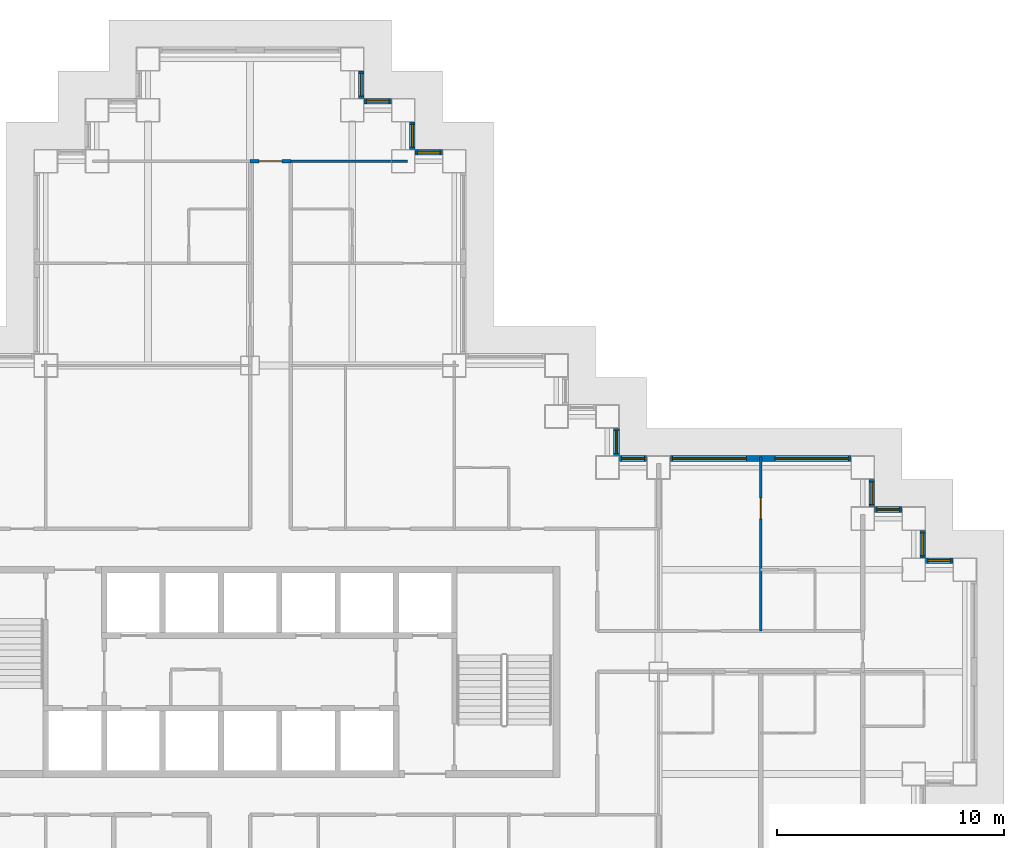
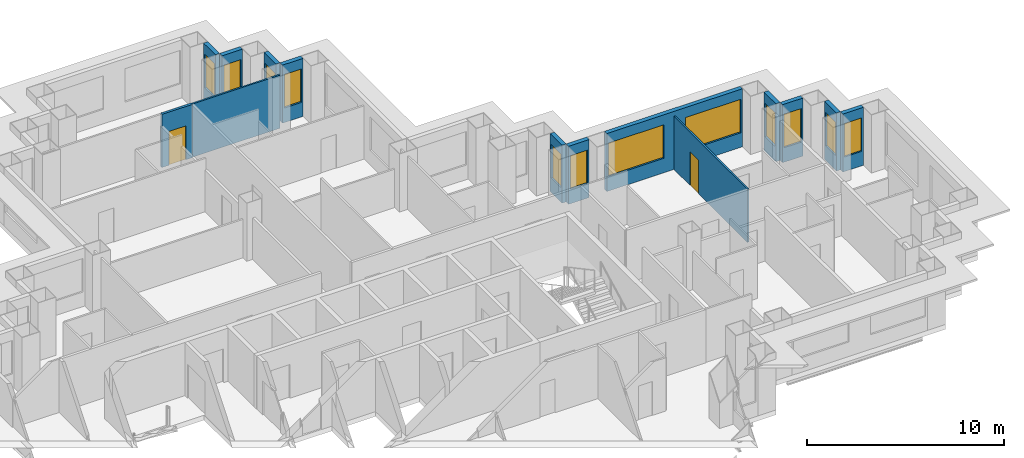
# One storey, part 9 of 14: 14 walls, 12 windows, 2 doors, 14 openings.
"""IFC4 building model written with IfcOpenShell, lengths in metres."""

from ifc_helpers import new_model, si_unit, direction, frame, frame_2d, origin, place, context, subcontext, project, spatial, rectangle, extrude, material, layer, layer_set, type_object, element, fill, save


model = new_model("IFC4")

# Units and contexts
model_context = context("Model", 3, precision=1e-05, world=origin(), true_north=direction((0.0, 1.0)))
body_context = subcontext(model_context, "Body", "Model", "MODEL_VIEW")
ifc_project = project(units=[si_unit("LENGTHUNIT", "METRE"), si_unit("AREAUNIT", "SQUARE_METRE"), si_unit("VOLUMEUNIT", "CUBIC_METRE"), si_unit("PLANEANGLEUNIT", "RADIAN"), si_unit("MASSUNIT", "GRAM", prefix="KILO")], contexts=[model_context])

# Site, building, storey
site_placement = place(None, origin())
site = spatial("IfcSite", under=ifc_project, at=site_placement, CompositionType="ELEMENT")
building_placement = place(site_placement, origin())
building = spatial("IfcBuilding", under=site, at=building_placement, Name="Caravel Reach Hotel and Residences", CompositionType="ELEMENT")
storey_placement = place(building_placement, frame((0.0, 0.0, 37.199951171875)))
storey = spatial("IfcBuildingStorey", under=building, at=storey_placement, Name="L07", CompositionType="ELEMENT", Elevation=37.199951171875)

# Wall, opening, door
ifc_material_1 = material(Name="Gypsum board on steel stud, fire-rated", Category="steel")
ifc_layer_1 = layer(ifc_material_1, 0.14990234375)
ifc_layer_set_1 = layer_set([ifc_layer_1], Name="Corridor wall 150 mm EI 60")
wall_type_1 = type_object("IfcWallType", Name="Corridor wall 150 mm EI 60", PredefinedType="PARTITIONING", material=ifc_layer_set_1)
wall_1_placement = place(storey_placement, frame((31.5, 49.5, 0.0), z_axis=(0.0, 0.0, 1.0), x_axis=(1.0, 0.0, 0.0)))
wall_1 = element("IfcWall", 1, at=wall_1_placement, inside=storey, type_object=wall_type_1, Name="L07 wall w021", PredefinedType="PARTITIONING", context=body_context, shape_type="SweptSolid", body=[
    extrude(rectangle(XDim=1.800048828125, YDim=0.14990234375, at=frame_2d((0.89990234375, 0.0))), origin(), (0.0, 0.0, 1.0), 3.300048828125),
])
opening_1_placement = place(wall_1_placement, frame((0.39990234375, 0.0, 0.0)))
opening_1 = element("IfcOpeningElement", 2, at=opening_1_placement, cuts=wall_1, Name="Opening D07-039", PredefinedType="OPENING", context=body_context, shape_type="SweptSolid", body=[
    extrude(rectangle(XDim=1.0, YDim=2.10009765625, at=frame_2d((0.5, 1.050048828125))), frame((0.0, 0.0849609375, 0.0), z_axis=(0.0, -1.0, 0.0), x_axis=(1.0, 0.0, 0.0)), (0.0, 0.0, 1.0), 0.169921875),
])
ifc_material_2 = material(Name="Steel fire door leaf", Category="steel")
door_type_1 = type_object("IfcDoorType", Name="Guest room door 1000 x 2100 EI 30", OperationType="SINGLE_SWING_LEFT", PredefinedType="DOOR", material=ifc_material_2)
door_1_placement = place(opening_1_placement, origin())
door_1 = element("IfcDoor", 3, at=door_1_placement, inside=storey, type_object=door_type_1, Name="door D07-039", OperationType="SINGLE_SWING_RIGHT", OverallHeight=2.10009765625, OverallWidth=1.0, PredefinedType="DOOR", context=body_context, shape_type="SweptSolid", body=[
    extrude(rectangle(XDim=1.0, YDim=2.10009765625, at=frame_2d((0.5, 1.050048828125))), frame((0.0, 0.02490234375, 0.0), z_axis=(0.0, -1.0, 0.0), x_axis=(1.0, 0.0, 0.0)), (0.0, 0.0, 1.0), 0.050048828125),
])
fill(opening_1, door_1)

# Wall, opening, window
ifc_material_3 = material(Name="Insulated rainscreen wall, aluminium cladding", Category="aluminium")
ifc_layer_2 = layer(ifc_material_3, 0.25)
ifc_layer_set_2 = layer_set([ifc_layer_2], Name="EW1 Tower rainscreen wall")
wall_type_2 = type_object("IfcWallType", Name="EW1 Tower rainscreen wall", PredefinedType="SOLIDWALL", material=ifc_layer_set_2)
wall_2_placement = place(storey_placement, frame((62.47509765625, 31.89990234375, 0.0), z_axis=(0.0, 0.0, 1.0), x_axis=(-1.0, 0.0, 0.0)))
wall_2 = element("IfcWall", 4, at=wall_2_placement, inside=storey, type_object=wall_type_2, Name="External wall L07 N21.1", PredefinedType="SOLIDWALL", context=body_context, shape_type="SweptSolid", body=[
    extrude(rectangle(XDim=1.2001953125, YDim=0.25, at=frame_2d((0.60009765625, 0.0))), origin(), (0.0, 0.0, 1.0), 3.60009765625),
])
opening_2_placement = place(wall_2_placement, frame((0.10009765625, 0.0, 0.89990234375)))
opening_2 = element("IfcOpeningElement", 5, at=opening_2_placement, cuts=wall_2, Name="Opening WN1", PredefinedType="OPENING", context=body_context, shape_type="SweptSolid", body=[
    extrude(rectangle(XDim=1.0, YDim=2.080078125, at=frame_2d((0.5, 1.0400390625))), frame((0.0, 0.135009765625, 0.0), z_axis=(0.0, -1.0, 0.0), x_axis=(1.0, 0.0, 0.0)), (0.0, 0.0, 1.0), 0.27001953125),
])
ifc_material_4 = material(Name="Dark low-e glazing in black aluminium frame", Category="aluminium")
window_type_1 = type_object("IfcWindowType", Name="Hotel suite corner window 1000 x 2080", PartitioningType="SINGLE_PANEL", PredefinedType="WINDOW", material=ifc_material_4)
window_1_placement = place(opening_2_placement, origin())
window_1 = element("IfcWindow", 6, at=window_1_placement, inside=storey, type_object=window_type_1, Name="Window L07 N21.1.1", OverallHeight=2.080078125, OverallWidth=1.0, PartitioningType="SINGLE_PANEL", PredefinedType="WINDOW", context=body_context, shape_type="SweptSolid", body=[
    extrude(rectangle(XDim=1.0, YDim=2.080078125, at=frame_2d((0.5, 1.0400390625))), frame((0.0, 0.030029296875, 0.0), z_axis=(0.0, -1.0, 0.0), x_axis=(1.0, 0.0, 0.0)), (0.0, 0.0, 1.0), 0.06005859375),
])
fill(opening_2, window_1)

wall_3_placement = place(storey_placement, frame((61.14990234375, 32.02490234375, 0.0), z_axis=(0.0, 0.0, 1.0), x_axis=(0.0, 1.0, 0.0)))
wall_3 = element("IfcWall", 7, at=wall_3_placement, inside=storey, type_object=wall_type_2, Name="External wall L07 E22.1", PredefinedType="SOLIDWALL", context=body_context, shape_type="SweptSolid", body=[
    extrude(rectangle(XDim=1.2001953125, YDim=0.25, at=frame_2d((0.60009765625, 0.0))), origin(), (0.0, 0.0, 1.0), 3.60009765625),
])
opening_3_placement = place(wall_3_placement, frame((0.10009765625, 0.0, 0.89990234375)))
opening_3 = element("IfcOpeningElement", 8, at=opening_3_placement, cuts=wall_3, Name="Opening WN1", PredefinedType="OPENING", context=body_context, shape_type="SweptSolid", body=[
    extrude(rectangle(XDim=1.0, YDim=2.080078125, at=frame_2d((0.5, 1.0400390625))), frame((0.0, 0.135009765625, 0.0), z_axis=(0.0, -1.0, 0.0), x_axis=(1.0, 0.0, 0.0)), (0.0, 0.0, 1.0), 0.27001953125),
])
window_2_placement = place(opening_3_placement, origin())
window_2 = element("IfcWindow", 9, at=window_2_placement, inside=storey, type_object=window_type_1, Name="Window L07 E22.1.1", OverallHeight=2.080078125, OverallWidth=1.0, PartitioningType="SINGLE_PANEL", PredefinedType="WINDOW", context=body_context, shape_type="SweptSolid", body=[
    extrude(rectangle(XDim=1.0, YDim=2.080078125, at=frame_2d((0.5, 1.0400390625))), frame((0.0, 0.030029296875, 0.0), z_axis=(0.0, -1.0, 0.0), x_axis=(1.0, 0.0, 0.0)), (0.0, 0.0, 1.0), 0.06005859375),
])
fill(opening_3, window_2)

wall_4_placement = place(storey_placement, frame((60.22509765625, 34.14990234375, 0.0), z_axis=(0.0, 0.0, 1.0), x_axis=(-1.0, 0.0, 0.0)))
wall_4 = element("IfcWall", 10, at=wall_4_placement, inside=storey, type_object=wall_type_2, Name="External wall L07 N23.1", PredefinedType="SOLIDWALL", context=body_context, shape_type="SweptSolid", body=[
    extrude(rectangle(XDim=1.2001953125, YDim=0.25, at=frame_2d((0.60009765625, 0.0))), origin(), (0.0, 0.0, 1.0), 3.60009765625),
])
opening_4_placement = place(wall_4_placement, frame((0.10009765625, 0.0, 0.89990234375)))
opening_4 = element("IfcOpeningElement", 11, at=opening_4_placement, cuts=wall_4, Name="Opening WN1", PredefinedType="OPENING", context=body_context, shape_type="SweptSolid", body=[
    extrude(rectangle(XDim=1.0, YDim=2.080078125, at=frame_2d((0.5, 1.0400390625))), frame((0.0, 0.135009765625, 0.0), z_axis=(0.0, -1.0, 0.0), x_axis=(1.0, 0.0, 0.0)), (0.0, 0.0, 1.0), 0.27001953125),
])
window_3_placement = place(opening_4_placement, origin())
window_3 = element("IfcWindow", 12, at=window_3_placement, inside=storey, type_object=window_type_1, Name="Window L07 N23.1.1", OverallHeight=2.080078125, OverallWidth=1.0, PartitioningType="SINGLE_PANEL", PredefinedType="WINDOW", context=body_context, shape_type="SweptSolid", body=[
    extrude(rectangle(XDim=1.0, YDim=2.080078125, at=frame_2d((0.5, 1.0400390625))), frame((0.0, 0.030029296875, 0.0), z_axis=(0.0, -1.0, 0.0), x_axis=(1.0, 0.0, 0.0)), (0.0, 0.0, 1.0), 0.06005859375),
])
fill(opening_4, window_3)

wall_5_placement = place(storey_placement, frame((58.89990234375, 34.27490234375, 0.0), z_axis=(0.0, 0.0, 1.0), x_axis=(0.0, 1.0, 0.0)))
wall_5 = element("IfcWall", 13, at=wall_5_placement, inside=storey, type_object=wall_type_2, Name="External wall L07 E24.1", PredefinedType="SOLIDWALL", context=body_context, shape_type="SweptSolid", body=[
    extrude(rectangle(XDim=1.2001953125, YDim=0.25, at=frame_2d((0.60009765625, 0.0))), origin(), (0.0, 0.0, 1.0), 3.60009765625),
])
opening_5_placement = place(wall_5_placement, frame((0.10009765625, 0.0, 0.89990234375)))
opening_5 = element("IfcOpeningElement", 14, at=opening_5_placement, cuts=wall_5, Name="Opening WN1", PredefinedType="OPENING", context=body_context, shape_type="SweptSolid", body=[
    extrude(rectangle(XDim=1.0, YDim=2.080078125, at=frame_2d((0.5, 1.0400390625))), frame((0.0, 0.135009765625, 0.0), z_axis=(0.0, -1.0, 0.0), x_axis=(1.0, 0.0, 0.0)), (0.0, 0.0, 1.0), 0.27001953125),
])
window_4_placement = place(opening_5_placement, origin())
window_4 = element("IfcWindow", 15, at=window_4_placement, inside=storey, type_object=window_type_1, Name="Window L07 E24.1.1", OverallHeight=2.080078125, OverallWidth=1.0, PartitioningType="SINGLE_PANEL", PredefinedType="WINDOW", context=body_context, shape_type="SweptSolid", body=[
    extrude(rectangle(XDim=1.0, YDim=2.080078125, at=frame_2d((0.5, 1.0400390625))), frame((0.0, 0.030029296875, 0.0), z_axis=(0.0, -1.0, 0.0), x_axis=(1.0, 0.0, 0.0)), (0.0, 0.0, 1.0), 0.06005859375),
])
fill(opening_5, window_4)

# Wall, openings, windows
wall_6_placement = place(storey_placement, frame((57.97509765625, 36.39990234375, 0.0), z_axis=(0.0, 0.0, 1.0), x_axis=(-1.0, 0.0, 0.0)))
wall_6 = element("IfcWall", 16, at=wall_6_placement, inside=storey, type_object=wall_type_2, Name="External wall L07 N25.1", PredefinedType="SOLIDWALL", context=body_context, shape_type="SweptSolid", body=[
    extrude(rectangle(XDim=7.9501953125, YDim=0.25, at=frame_2d((3.97509765625, 0.0))), origin(), (0.0, 0.0, 1.0), 3.60009765625),
])
opening_6_placement = place(wall_6_placement, frame((0.10009765625, 0.0, 0.89990234375)))
opening_6 = element("IfcOpeningElement", 17, at=opening_6_placement, cuts=wall_6, Name="Opening WN2", PredefinedType="OPENING", context=body_context, shape_type="SweptSolid", body=[
    extrude(rectangle(XDim=3.25, YDim=2.080078125, at=frame_2d((1.625, 1.0400390625))), frame((0.0, 0.135009765625, 0.0), z_axis=(0.0, -1.0, 0.0), x_axis=(1.0, 0.0, 0.0)), (0.0, 0.0, 1.0), 0.27001953125),
])
opening_7_placement = place(wall_6_placement, frame((4.60009765625, 0.0, 0.89990234375)))
opening_7 = element("IfcOpeningElement", 18, at=opening_7_placement, cuts=wall_6, Name="Opening WN2", PredefinedType="OPENING", context=body_context, shape_type="SweptSolid", body=[
    extrude(rectangle(XDim=3.25, YDim=2.080078125, at=frame_2d((1.625, 1.0400390625))), frame((0.0, 0.135009765625, 0.0), z_axis=(0.0, -1.0, 0.0), x_axis=(1.0, 0.0, 0.0)), (0.0, 0.0, 1.0), 0.27001953125),
])
ifc_material_5 = material(Name="Dark low-e glazing in black aluminium frame", Category="aluminium")
window_type_2 = type_object("IfcWindowType", Name="Hotel guest room window 3250 x 2080", PartitioningType="SINGLE_PANEL", PredefinedType="WINDOW", material=ifc_material_5)
window_5_placement = place(opening_6_placement, origin())
window_5 = element("IfcWindow", 19, at=window_5_placement, inside=storey, type_object=window_type_2, Name="Window L07 N25.1.1", OverallHeight=2.080078125, OverallWidth=3.25, PartitioningType="SINGLE_PANEL", PredefinedType="WINDOW", context=body_context, shape_type="SweptSolid", body=[
    extrude(rectangle(XDim=3.25, YDim=2.080078125, at=frame_2d((1.625, 1.0400390625))), frame((0.0, 0.030029296875, 0.0), z_axis=(0.0, -1.0, 0.0), x_axis=(1.0, 0.0, 0.0)), (0.0, 0.0, 1.0), 0.06005859375),
])
fill(opening_6, window_5)
window_6_placement = place(opening_7_placement, origin())
window_6 = element("IfcWindow", 20, at=window_6_placement, inside=storey, type_object=window_type_2, Name="Window L07 N25.1.2", OverallHeight=2.080078125, OverallWidth=3.25, PartitioningType="SINGLE_PANEL", PredefinedType="WINDOW", context=body_context, shape_type="SweptSolid", body=[
    extrude(rectangle(XDim=3.25, YDim=2.080078125, at=frame_2d((1.625, 1.0400390625))), frame((0.0, 0.030029296875, 0.0), z_axis=(0.0, -1.0, 0.0), x_axis=(1.0, 0.0, 0.0)), (0.0, 0.0, 1.0), 0.06005859375),
])
fill(opening_7, window_6)

# Wall, opening, window
wall_7_placement = place(storey_placement, frame((48.97509765625, 36.39990234375, 0.0), z_axis=(0.0, 0.0, 1.0), x_axis=(-1.0, 0.0, 0.0)))
wall_7 = element("IfcWall", 21, at=wall_7_placement, inside=storey, type_object=wall_type_2, Name="External wall L07 N25.2", PredefinedType="SOLIDWALL", context=body_context, shape_type="SweptSolid", body=[
    extrude(rectangle(XDim=1.2001953125, YDim=0.25, at=frame_2d((0.60009765625, 0.0))), origin(), (0.0, 0.0, 1.0), 3.60009765625),
])
opening_8_placement = place(wall_7_placement, frame((0.10009765625, 0.0, 0.89990234375)))
opening_8 = element("IfcOpeningElement", 22, at=opening_8_placement, cuts=wall_7, Name="Opening WN1", PredefinedType="OPENING", context=body_context, shape_type="SweptSolid", body=[
    extrude(rectangle(XDim=1.0, YDim=2.080078125, at=frame_2d((0.5, 1.0400390625))), frame((0.0, 0.135009765625, 0.0), z_axis=(0.0, -1.0, 0.0), x_axis=(1.0, 0.0, 0.0)), (0.0, 0.0, 1.0), 0.27001953125),
])
window_7_placement = place(opening_8_placement, origin())
window_7 = element("IfcWindow", 23, at=window_7_placement, inside=storey, type_object=window_type_1, Name="Window L07 N25.2.1", OverallHeight=2.080078125, OverallWidth=1.0, PartitioningType="SINGLE_PANEL", PredefinedType="WINDOW", context=body_context, shape_type="SweptSolid", body=[
    extrude(rectangle(XDim=1.0, YDim=2.080078125, at=frame_2d((0.5, 1.0400390625))), frame((0.0, 0.030029296875, 0.0), z_axis=(0.0, -1.0, 0.0), x_axis=(1.0, 0.0, 0.0)), (0.0, 0.0, 1.0), 0.06005859375),
])
fill(opening_8, window_7)

wall_8_placement = place(storey_placement, frame((47.64990234375, 36.52490234375, 0.0), z_axis=(0.0, 0.0, 1.0), x_axis=(0.0, 1.0, 0.0)))
wall_8 = element("IfcWall", 24, at=wall_8_placement, inside=storey, type_object=wall_type_2, Name="External wall L07 E26.1", PredefinedType="SOLIDWALL", context=body_context, shape_type="SweptSolid", body=[
    extrude(rectangle(XDim=1.2001953125, YDim=0.25, at=frame_2d((0.60009765625, 0.0))), origin(), (0.0, 0.0, 1.0), 3.60009765625),
])
opening_9_placement = place(wall_8_placement, frame((0.10009765625, 0.0, 0.89990234375)))
opening_9 = element("IfcOpeningElement", 25, at=opening_9_placement, cuts=wall_8, Name="Opening WN1", PredefinedType="OPENING", context=body_context, shape_type="SweptSolid", body=[
    extrude(rectangle(XDim=1.0, YDim=2.080078125, at=frame_2d((0.5, 1.0400390625))), frame((0.0, 0.135009765625, 0.0), z_axis=(0.0, -1.0, 0.0), x_axis=(1.0, 0.0, 0.0)), (0.0, 0.0, 1.0), 0.27001953125),
])
window_8_placement = place(opening_9_placement, origin())
window_8 = element("IfcWindow", 26, at=window_8_placement, inside=storey, type_object=window_type_1, Name="Window L07 E26.1.1", OverallHeight=2.080078125, OverallWidth=1.0, PartitioningType="SINGLE_PANEL", PredefinedType="WINDOW", context=body_context, shape_type="SweptSolid", body=[
    extrude(rectangle(XDim=1.0, YDim=2.080078125, at=frame_2d((0.5, 1.0400390625))), frame((0.0, 0.030029296875, 0.0), z_axis=(0.0, -1.0, 0.0), x_axis=(1.0, 0.0, 0.0)), (0.0, 0.0, 1.0), 0.06005859375),
])
fill(opening_9, window_8)

wall_9_placement = place(storey_placement, frame((39.97509765625, 49.89990234375, 0.0), z_axis=(0.0, 0.0, 1.0), x_axis=(-1.0, 0.0, 0.0)))
wall_9 = element("IfcWall", 27, at=wall_9_placement, inside=storey, type_object=wall_type_2, Name="External wall L07 N31.1", PredefinedType="SOLIDWALL", context=body_context, shape_type="SweptSolid", body=[
    extrude(rectangle(XDim=1.2001953125, YDim=0.25, at=frame_2d((0.60009765625, 0.0))), origin(), (0.0, 0.0, 1.0), 3.60009765625),
])
opening_10_placement = place(wall_9_placement, frame((0.10009765625, 0.0, 0.89990234375)))
opening_10 = element("IfcOpeningElement", 28, at=opening_10_placement, cuts=wall_9, Name="Opening WN1", PredefinedType="OPENING", context=body_context, shape_type="SweptSolid", body=[
    extrude(rectangle(XDim=1.0, YDim=2.080078125, at=frame_2d((0.5, 1.0400390625))), frame((0.0, 0.135009765625, 0.0), z_axis=(0.0, -1.0, 0.0), x_axis=(1.0, 0.0, 0.0)), (0.0, 0.0, 1.0), 0.27001953125),
])
window_9_placement = place(opening_10_placement, origin())
window_9 = element("IfcWindow", 29, at=window_9_placement, inside=storey, type_object=window_type_1, Name="Window L07 N31.1.1", OverallHeight=2.080078125, OverallWidth=1.0, PartitioningType="SINGLE_PANEL", PredefinedType="WINDOW", context=body_context, shape_type="SweptSolid", body=[
    extrude(rectangle(XDim=1.0, YDim=2.080078125, at=frame_2d((0.5, 1.0400390625))), frame((0.0, 0.030029296875, 0.0), z_axis=(0.0, -1.0, 0.0), x_axis=(1.0, 0.0, 0.0)), (0.0, 0.0, 1.0), 0.06005859375),
])
fill(opening_10, window_9)

wall_10_placement = place(storey_placement, frame((38.64990234375, 50.02490234375, 0.0), z_axis=(0.0, 0.0, 1.0), x_axis=(0.0, 1.0, 0.0)))
wall_10 = element("IfcWall", 30, at=wall_10_placement, inside=storey, type_object=wall_type_2, Name="External wall L07 E32.1", PredefinedType="SOLIDWALL", context=body_context, shape_type="SweptSolid", body=[
    extrude(rectangle(XDim=1.2001953125, YDim=0.25, at=frame_2d((0.60009765625, 0.0))), origin(), (0.0, 0.0, 1.0), 3.60009765625),
])
opening_11_placement = place(wall_10_placement, frame((0.10009765625, 0.0, 0.89990234375)))
opening_11 = element("IfcOpeningElement", 31, at=opening_11_placement, cuts=wall_10, Name="Opening WN1", PredefinedType="OPENING", context=body_context, shape_type="SweptSolid", body=[
    extrude(rectangle(XDim=1.0, YDim=2.080078125, at=frame_2d((0.5, 1.0400390625))), frame((0.0, 0.135009765625, 0.0), z_axis=(0.0, -1.0, 0.0), x_axis=(1.0, 0.0, 0.0)), (0.0, 0.0, 1.0), 0.27001953125),
])
window_10_placement = place(opening_11_placement, origin())
window_10 = element("IfcWindow", 32, at=window_10_placement, inside=storey, type_object=window_type_1, Name="Window L07 E32.1.1", OverallHeight=2.080078125, OverallWidth=1.0, PartitioningType="SINGLE_PANEL", PredefinedType="WINDOW", context=body_context, shape_type="SweptSolid", body=[
    extrude(rectangle(XDim=1.0, YDim=2.080078125, at=frame_2d((0.5, 1.0400390625))), frame((0.0, 0.030029296875, 0.0), z_axis=(0.0, -1.0, 0.0), x_axis=(1.0, 0.0, 0.0)), (0.0, 0.0, 1.0), 0.06005859375),
])
fill(opening_11, window_10)

wall_11_placement = place(storey_placement, frame((37.72509765625, 52.14990234375, 0.0), z_axis=(0.0, 0.0, 1.0), x_axis=(-1.0, 0.0, 0.0)))
wall_11 = element("IfcWall", 33, at=wall_11_placement, inside=storey, type_object=wall_type_2, Name="External wall L07 N33.1", PredefinedType="SOLIDWALL", context=body_context, shape_type="SweptSolid", body=[
    extrude(rectangle(XDim=1.2001953125, YDim=0.25, at=frame_2d((0.60009765625, 0.0))), origin(), (0.0, 0.0, 1.0), 3.60009765625),
])
opening_12_placement = place(wall_11_placement, frame((0.10009765625, 0.0, 0.89990234375)))
opening_12 = element("IfcOpeningElement", 34, at=opening_12_placement, cuts=wall_11, Name="Opening WN1", PredefinedType="OPENING", context=body_context, shape_type="SweptSolid", body=[
    extrude(rectangle(XDim=1.0, YDim=2.080078125, at=frame_2d((0.5, 1.0400390625))), frame((0.0, 0.135009765625, 0.0), z_axis=(0.0, -1.0, 0.0), x_axis=(1.0, 0.0, 0.0)), (0.0, 0.0, 1.0), 0.27001953125),
])
window_11_placement = place(opening_12_placement, origin())
window_11 = element("IfcWindow", 35, at=window_11_placement, inside=storey, type_object=window_type_1, Name="Window L07 N33.1.1", OverallHeight=2.080078125, OverallWidth=1.0, PartitioningType="SINGLE_PANEL", PredefinedType="WINDOW", context=body_context, shape_type="SweptSolid", body=[
    extrude(rectangle(XDim=1.0, YDim=2.080078125, at=frame_2d((0.5, 1.0400390625))), frame((0.0, 0.030029296875, 0.0), z_axis=(0.0, -1.0, 0.0), x_axis=(1.0, 0.0, 0.0)), (0.0, 0.0, 1.0), 0.06005859375),
])
fill(opening_12, window_11)

wall_12_placement = place(storey_placement, frame((36.39990234375, 52.27490234375, 0.0), z_axis=(0.0, 0.0, 1.0), x_axis=(0.0, 1.0, 0.0)))
wall_12 = element("IfcWall", 36, at=wall_12_placement, inside=storey, type_object=wall_type_2, Name="External wall L07 E34.1", PredefinedType="SOLIDWALL", context=body_context, shape_type="SweptSolid", body=[
    extrude(rectangle(XDim=1.2001953125, YDim=0.25, at=frame_2d((0.60009765625, 0.0))), origin(), (0.0, 0.0, 1.0), 3.60009765625),
])
opening_13_placement = place(wall_12_placement, frame((0.10009765625, 0.0, 0.89990234375)))
opening_13 = element("IfcOpeningElement", 37, at=opening_13_placement, cuts=wall_12, Name="Opening WN1", PredefinedType="OPENING", context=body_context, shape_type="SweptSolid", body=[
    extrude(rectangle(XDim=1.0, YDim=2.080078125, at=frame_2d((0.5, 1.0400390625))), frame((0.0, 0.135009765625, 0.0), z_axis=(0.0, -1.0, 0.0), x_axis=(1.0, 0.0, 0.0)), (0.0, 0.0, 1.0), 0.27001953125),
])
window_12_placement = place(opening_13_placement, origin())
window_12 = element("IfcWindow", 38, at=window_12_placement, inside=storey, type_object=window_type_1, Name="Window L07 E34.1.1", OverallHeight=2.080078125, OverallWidth=1.0, PartitioningType="SINGLE_PANEL", PredefinedType="WINDOW", context=body_context, shape_type="SweptSolid", body=[
    extrude(rectangle(XDim=1.0, YDim=2.080078125, at=frame_2d((0.5, 1.0400390625))), frame((0.0, 0.030029296875, 0.0), z_axis=(0.0, -1.0, 0.0), x_axis=(1.0, 0.0, 0.0)), (0.0, 0.0, 1.0), 0.06005859375),
])
fill(opening_13, window_12)

# Wall
ifc_material_6 = material(Name="Gypsum board on steel stud", Category="steel")
ifc_layer_3 = layer(ifc_material_6, 0.10009765625)
ifc_layer_set_3 = layer_set([ifc_layer_3], Name="Partition 100 mm")
wall_type_3 = type_object("IfcWallType", Name="Partition 100 mm", PredefinedType="PARTITIONING", material=ifc_layer_set_3)
wall_13_placement = place(storey_placement, frame((33.300048828125, 49.5, 0.0), z_axis=(0.0, 0.0, 1.0), x_axis=(1.0, 0.0, 0.0)))
element("IfcWall", 39, at=wall_13_placement, inside=storey, type_object=wall_type_3, Name="L07 wall w050", PredefinedType="PARTITIONING", context=body_context, shape_type="SweptSolid", body=[
    extrude(rectangle(XDim=5.139892578125, YDim=0.10009765625, at=frame_2d((2.56982421875, 0.0))), origin(), (0.0, 0.0, 1.0), 3.300048828125),
])

# Wall, opening, door
wall_14_placement = place(storey_placement, frame((54.0, 28.800048828125, 0.0), z_axis=(0.0, 0.0, 1.0), x_axis=(0.0, 1.0, 0.0)))
wall_14 = element("IfcWall", 40, at=wall_14_placement, inside=storey, type_object=wall_type_3, Name="L07 wall w064", PredefinedType="PARTITIONING", context=body_context, shape_type="SweptSolid", body=[
    extrude(rectangle(XDim=7.6650390625, YDim=0.10009765625, at=frame_2d((3.83251953125, 0.0))), origin(), (0.0, 0.0, 1.0), 3.300048828125),
])
opening_14_placement = place(wall_14_placement, frame((4.949951171875, 0.0, 0.0)))
opening_14 = element("IfcOpeningElement", 41, at=opening_14_placement, cuts=wall_14, Name="Opening D07-024", PredefinedType="OPENING", context=body_context, shape_type="SweptSolid", body=[
    extrude(rectangle(XDim=0.89990234375, YDim=2.10009765625, at=frame_2d((0.449951171875, 1.050048828125))), frame((0.0, 0.06005859375, 0.0), z_axis=(0.0, -1.0, 0.0), x_axis=(1.0, 0.0, 0.0)), (0.0, 0.0, 1.0), 0.1201171875),
])
ifc_material_7 = material(Name="Timber and steel door leaf", Category="steel")
door_type_2 = type_object("IfcDoorType", Name="Door 900 x 2100 timber", OperationType="SINGLE_SWING_LEFT", PredefinedType="DOOR", material=ifc_material_7)
door_2_placement = place(opening_14_placement, origin())
door_2 = element("IfcDoor", 42, at=door_2_placement, inside=storey, type_object=door_type_2, Name="door D07-024", OperationType="SINGLE_SWING_RIGHT", OverallHeight=2.10009765625, OverallWidth=0.89990234375, PredefinedType="DOOR", context=body_context, shape_type="SweptSolid", body=[
    extrude(rectangle(XDim=0.89990234375, YDim=2.10009765625, at=frame_2d((0.449951171875, 1.050048828125))), frame((0.0, 0.02490234375, 0.0), z_axis=(0.0, -1.0, 0.0), x_axis=(1.0, 0.0, 0.0)), (0.0, 0.0, 1.0), 0.050048828125),
])
fill(opening_14, door_2)

save(model, "model.ifc")
